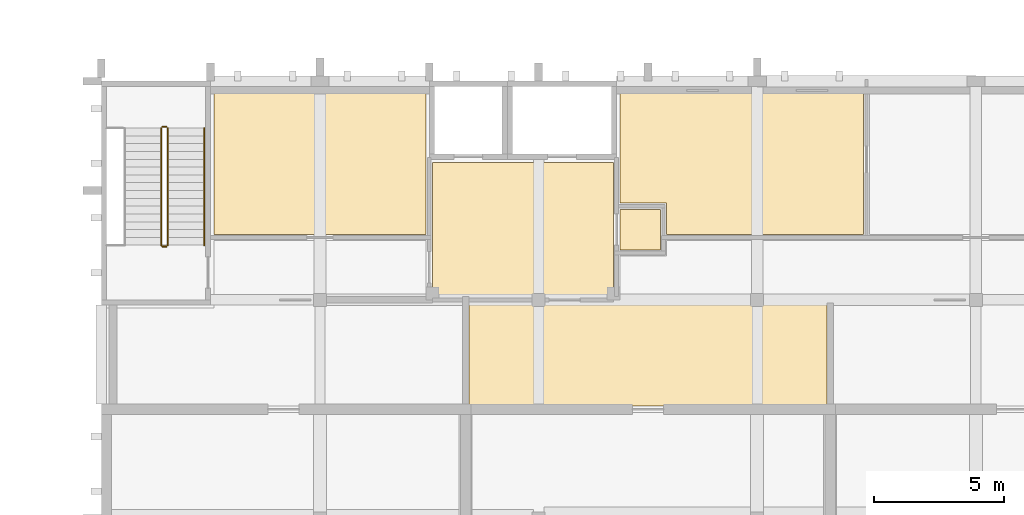
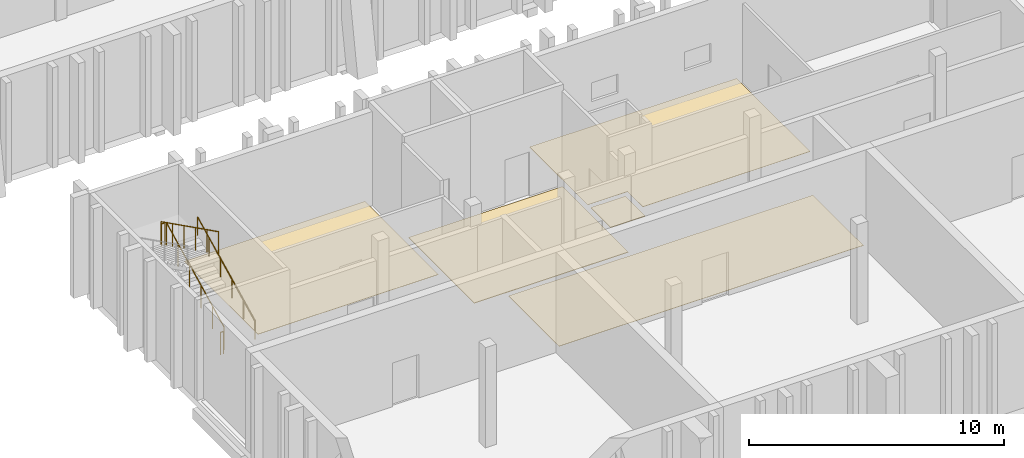
# One storey, part 83 of 86: 5 coverings, 5 railings.
"""IFC4 building model written with IfcOpenShell, lengths in metres."""

from ifc_helpers import new_model, si_unit, direction, frame, origin, origin_2d, place, context, subcontext, project, spatial, polyline, circle, outline, extrude, material, layer, layer_set, type_object, element, save


model = new_model("IFC4")

# Units and contexts
model_context = context("Model", 3, precision=1e-05, world=origin(), true_north=direction((0.0, 1.0)))
body_context = subcontext(model_context, "Body", "Model", "MODEL_VIEW")
ifc_project = project(units=[si_unit("LENGTHUNIT", "METRE"), si_unit("AREAUNIT", "SQUARE_METRE"), si_unit("VOLUMEUNIT", "CUBIC_METRE"), si_unit("PLANEANGLEUNIT", "RADIAN"), si_unit("MASSUNIT", "GRAM", prefix="KILO")], contexts=[model_context])

# Site, building, storey
site_placement = place(None, origin())
site = spatial("IfcSite", under=ifc_project, at=site_placement, CompositionType="ELEMENT")
building_placement = place(site_placement, origin())
building = spatial("IfcBuilding", under=site, at=building_placement, Name="Kiln Court Media Centre", CompositionType="ELEMENT")
storey_placement = place(building_placement, frame((0.0, 0.0, 10.199951171875)))
storey = spatial("IfcBuildingStorey", under=building, at=storey_placement, Name="L02", CompositionType="ELEMENT", Elevation=10.199951171875)

# Coverings
ifc_material_1 = material(Name="Carpet tile")
ifc_layer_1 = layer(ifc_material_1, 0.014892578125)
ifc_layer_set_1 = layer_set([ifc_layer_1], Name="Carpet tile floor finish 15")
covering_type_1 = type_object("IfcCoveringType", Name="Carpet tile floor finish 15", PredefinedType="FLOORING", material=ifc_layer_set_1)
covering_1_placement = place(storey_placement, origin())
element("IfcCovering", 1, at=covering_1_placement, inside=storey, type_object=covering_type_1, Name="Radio Control Room 2 floor finish", PredefinedType="FLOORING", context=body_context, shape_type="SweptSolid", body=[
    extrude(outline(polyline([(140.1201171875, 12.719970703125), (153.8798828125, 12.719970703125), (153.8798828125, 16.679931640625), (140.1201171875, 16.679931640625), (140.1201171875, 12.719970703125)])), origin(), (0.0, 0.0, 1.0), 0.01513671875),
])
covering_2_placement = place(storey_placement, origin())
element("IfcCovering", 2, at=covering_2_placement, inside=storey, type_object=covering_type_1, Name="Radio Newsroom floor finish", PredefinedType="FLOORING", context=body_context, shape_type="SweptSolid", body=[
    extrude(outline(polyline([(130.320068359375, 19.320068359375), (138.47998046875, 19.320068359375), (138.47998046875, 25.080078125), (130.320068359375, 25.080078125), (130.320068359375, 19.320068359375)])), origin(), (0.0, 0.0, 1.0), 0.01513671875),
])
ifc_material_2 = material(Name="Ceramic tile")
ifc_layer_2 = layer(ifc_material_2, 0.011962890625)
ifc_layer_set_2 = layer_set([ifc_layer_2], Name="Ceramic tile floor finish 12")
covering_type_2 = type_object("IfcCoveringType", Name="Ceramic tile floor finish 12", PredefinedType="FLOORING", material=ifc_layer_set_2)
covering_3_placement = place(storey_placement, origin())
element("IfcCovering", 3, at=covering_3_placement, inside=storey, type_object=covering_type_2, Name="Toilets and Accessible WC floor finish", PredefinedType="FLOORING", context=body_context, shape_type="SweptSolid", body=[
    extrude(outline(polyline([(145.919921875, 25.080078125), (145.919921875, 20.52001953125), (147.719970703125, 20.52001953125), (147.719970703125, 19.320068359375), (155.280029296875, 19.320068359375), (155.280029296875, 25.080078125), (145.919921875, 25.080078125)])), origin(), (0.0, 0.0, 1.0), 0.011962890625),
])
ifc_material_3 = material(Name="Terrazzo")
ifc_layer_3 = layer(ifc_material_3, 0.02490234375)
ifc_layer_set_3 = layer_set([ifc_layer_3], Name="Polished terrazzo floor finish 25")
covering_type_3 = type_object("IfcCoveringType", Name="Polished terrazzo floor finish 25", PredefinedType="FLOORING", material=ifc_layer_set_3)
covering_4_placement = place(storey_placement, origin())
element("IfcCovering", 4, at=covering_4_placement, inside=storey, type_object=covering_type_3, Name="Fire-fighting Lift Lobby floor finish", PredefinedType="FLOORING", context=body_context, shape_type="SweptSolid", body=[
    extrude(outline(polyline([(138.719970703125, 16.919921875), (145.679931640625, 16.919921875), (145.679931640625, 22.080078125), (138.719970703125, 22.080078125), (138.719970703125, 16.919921875)])), origin(), (0.0, 0.0, 1.0), 0.025146484375),
])
covering_5_placement = place(storey_placement, origin())
element("IfcCovering", 5, at=covering_5_placement, inside=storey, type_object=covering_type_3, Name="Wheelchair Refuge floor finish", PredefinedType="FLOORING", context=body_context, shape_type="SweptSolid", body=[
    extrude(outline(polyline([(145.919921875, 18.719970703125), (147.47998046875, 18.719970703125), (147.47998046875, 20.280029296875), (145.919921875, 20.280029296875), (145.919921875, 18.719970703125)])), origin(), (0.0, 0.0, 1.0), 0.025146484375),
])

# Railings
ifc_material_4 = material(Name="Steel S275", Category="steel")
railing_type_1 = type_object("IfcRailingType", Name="Steel S275 stair guard 1100", PredefinedType="GUARDRAIL", material=ifc_material_4)
railing_1_placement = place(storey_placement, frame((128.550048828125, 18.89990234375, 0.150146484375)))
element("IfcRailing", 6, at=railing_1_placement, inside=storey, type_object=railing_type_1, Name="ST-16 stair guard", PredefinedType="GUARDRAIL", context=body_context, shape_type="SweptSolid", body=[
    extrude(circle(Radius=0.02392578125, at=origin_2d()), frame((0.0, 0.0, 1.076171875), z_axis=(0.0, 0.894427191, 0.4472135955), x_axis=(-1.0, 0.0, 0.0)), (0.0, 0.0, 1.0), 5.03125),
    extrude(circle(Radius=0.02099609375, at=origin_2d()), origin(), (0.0, 0.0, 1.0), 1.052001953125),
    extrude(circle(Radius=0.02099609375, at=origin_2d()), frame((0.0, 0.89990234375, 0.449951171875)), (0.0, 0.0, 1.0), 1.052001953125),
    extrude(circle(Radius=0.02099609375, at=origin_2d()), frame((0.0, 1.800048828125, 0.89990234375)), (0.0, 0.0, 1.0), 1.052001953125),
    extrude(circle(Radius=0.02099609375, at=origin_2d()), frame((0.0, 2.699951171875, 1.35009765625)), (0.0, 0.0, 1.0), 1.052001953125),
    extrude(circle(Radius=0.02099609375, at=origin_2d()), frame((0.0, 3.60009765625, 1.800048828125)), (0.0, 0.0, 1.0), 1.052001953125),
    extrude(circle(Radius=0.02099609375, at=origin_2d()), frame((0.0, 4.5, 2.25)), (0.0, 0.0, 1.0), 1.052001953125),
])
railing_2_placement = place(storey_placement, frame((128.5, 23.449951171875, 2.400146484375)))
element("IfcRailing", 7, at=railing_2_placement, inside=storey, type_object=railing_type_1, Name="ST-16 stair guard", PredefinedType="GUARDRAIL", context=body_context, shape_type="SweptSolid", body=[
    extrude(circle(Radius=0.02392578125, at=origin_2d()), frame((0.0, 0.0, 1.076171875), z_axis=(-1.0, 0.0, 0.0), x_axis=(0.0, -1.0, 0.0)), (0.0, 0.0, 1.0), 0.14990234375),
    extrude(circle(Radius=0.02099609375, at=origin_2d()), origin(), (0.0, 0.0, 1.0), 1.052001953125),
    extrude(circle(Radius=0.02099609375, at=origin_2d()), frame((-0.14990234375, 0.0, 0.0)), (0.0, 0.0, 1.0), 1.052001953125),
])
railing_3_placement = place(storey_placement, frame((128.300048828125, 23.39990234375, 2.550048828125)))
element("IfcRailing", 8, at=railing_3_placement, inside=storey, type_object=railing_type_1, Name="ST-16 stair guard", PredefinedType="GUARDRAIL", context=body_context, shape_type="SweptSolid", body=[
    extrude(circle(Radius=0.02392578125, at=origin_2d()), frame((0.0, 0.0, 1.076171875), z_axis=(0.0, -0.894427191, 0.4472135955), x_axis=(1.0, 0.0, 0.0)), (0.0, 0.0, 1.0), 5.03125),
    extrude(circle(Radius=0.02099609375, at=origin_2d()), origin(), (0.0, 0.0, 1.0), 1.052001953125),
    extrude(circle(Radius=0.02099609375, at=origin_2d()), frame((0.0, -0.89990234375, 0.449951171875)), (0.0, 0.0, 1.0), 1.052001953125),
    extrude(circle(Radius=0.02099609375, at=origin_2d()), frame((0.0, -1.800048828125, 0.89990234375)), (0.0, 0.0, 1.0), 1.052001953125),
    extrude(circle(Radius=0.02099609375, at=origin_2d()), frame((0.0, -2.699951171875, 1.35009765625)), (0.0, 0.0, 1.0), 1.052001953125),
    extrude(circle(Radius=0.02099609375, at=origin_2d()), frame((0.0, -3.60009765625, 1.800048828125)), (0.0, 0.0, 1.0), 1.052001953125),
    extrude(circle(Radius=0.02099609375, at=origin_2d()), frame((0.0, -4.5, 2.25)), (0.0, 0.0, 1.0), 1.052001953125),
])
railing_4_placement = place(storey_placement, frame((128.5, 18.85009765625, 0.0)))
element("IfcRailing", 9, at=railing_4_placement, inside=storey, type_object=railing_type_1, Name="ST-16 stair guard", PredefinedType="GUARDRAIL", context=body_context, shape_type="SweptSolid", body=[
    extrude(circle(Radius=0.02392578125, at=origin_2d()), frame((0.0, 0.0, 1.076171875), z_axis=(-1.0, 0.0, 0.0), x_axis=(0.0, -1.0, 0.0)), (0.0, 0.0, 1.0), 0.14990234375),
    extrude(circle(Radius=0.02099609375, at=origin_2d()), origin(), (0.0, 0.0, 1.0), 1.052001953125),
    extrude(circle(Radius=0.02099609375, at=origin_2d()), frame((-0.14990234375, 0.0, 0.0)), (0.0, 0.0, 1.0), 1.052001953125),
])
ifc_material_5 = material(Name="Steel S275", Category="steel")
railing_type_2 = type_object("IfcRailingType", Name="Steel S275 stair handrail 900", PredefinedType="HANDRAIL", material=ifc_material_5)
railing_5_placement = place(storey_placement, frame((129.949951171875, 18.89990234375, 0.150146484375)))
element("IfcRailing", 10, at=railing_5_placement, inside=storey, type_object=railing_type_2, Name="ST-16 stair handrail", PredefinedType="HANDRAIL", context=body_context, shape_type="SweptSolid", body=[
    extrude(circle(Radius=0.02392578125, at=origin_2d()), frame((0.0, 0.0, 0.8759765625), z_axis=(0.0, 0.894427191, 0.4472135955), x_axis=(-1.0, 0.0, 0.0)), (0.0, 0.0, 1.0), 5.03125),
    extrude(circle(Radius=0.02099609375, at=origin_2d()), origin(), (0.0, 0.0, 1.0), 0.851806640625),
    extrude(circle(Radius=0.02099609375, at=origin_2d()), frame((0.0, 0.89990234375, 0.449951171875)), (0.0, 0.0, 1.0), 0.851806640625),
    extrude(circle(Radius=0.02099609375, at=origin_2d()), frame((0.0, 1.800048828125, 0.89990234375)), (0.0, 0.0, 1.0), 0.851806640625),
    extrude(circle(Radius=0.02099609375, at=origin_2d()), frame((0.0, 2.699951171875, 1.35009765625)), (0.0, 0.0, 1.0), 0.851806640625),
    extrude(circle(Radius=0.02099609375, at=origin_2d()), frame((0.0, 3.60009765625, 1.800048828125)), (0.0, 0.0, 1.0), 0.851806640625),
    extrude(circle(Radius=0.02099609375, at=origin_2d()), frame((0.0, 4.5, 2.25)), (0.0, 0.0, 1.0), 0.851806640625),
])

save(model, "model.ifc")
